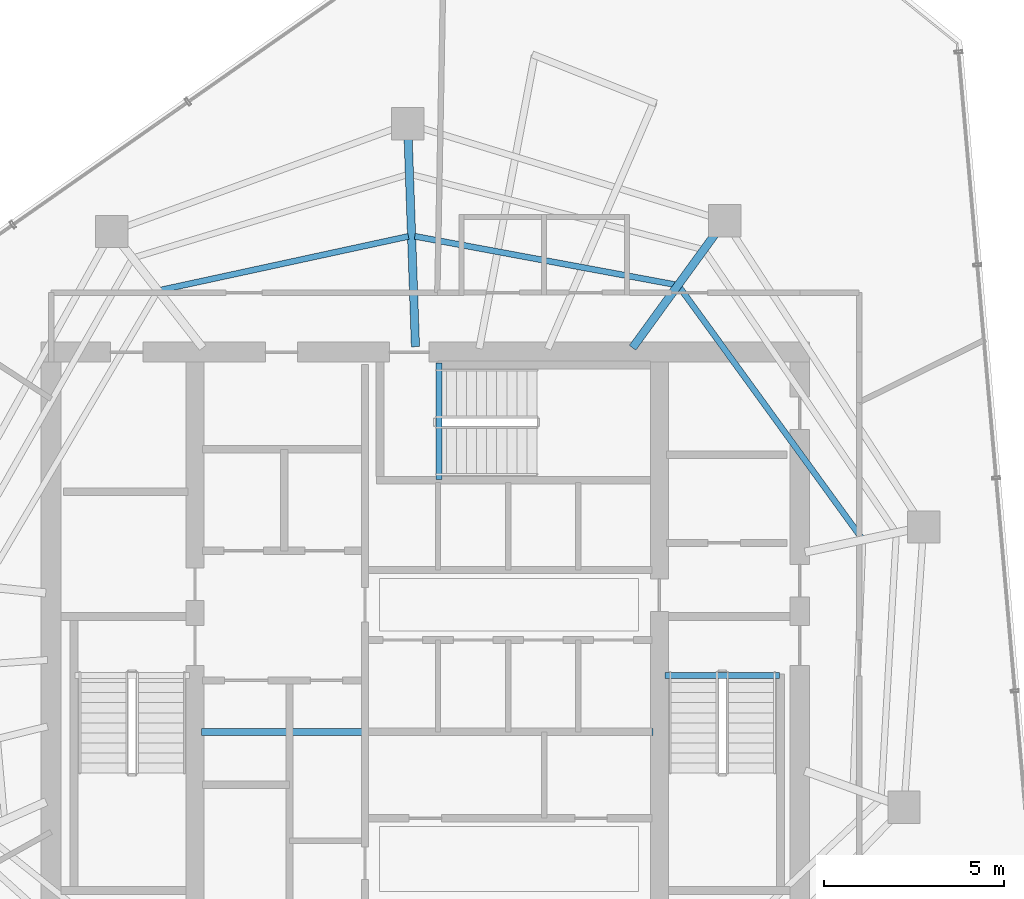
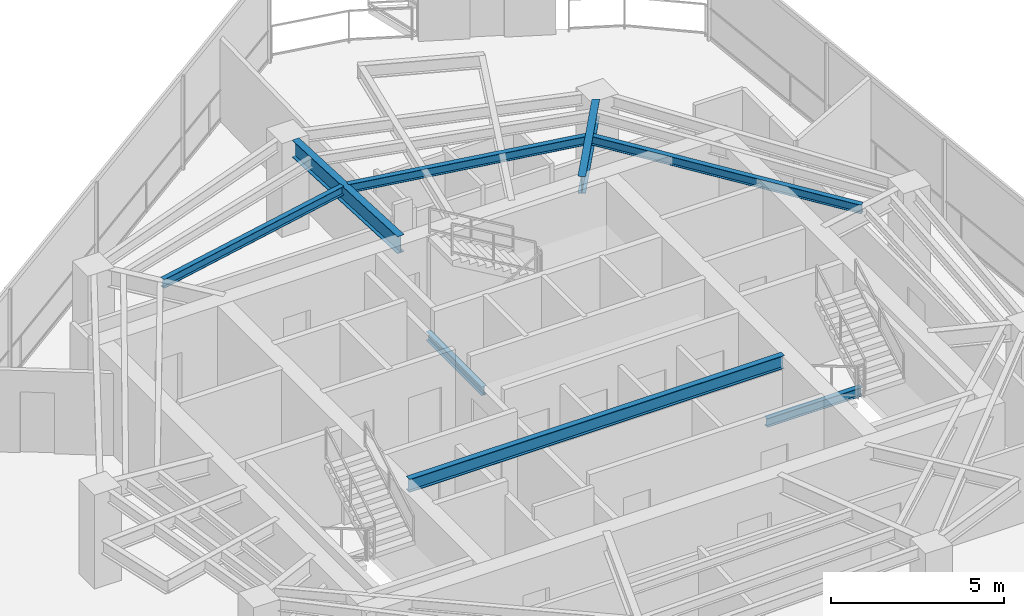
# One storey, part 8 of 20: 8 beams.
"""IFC4 building model written with IfcOpenShell, lengths in metres."""

from ifc_helpers import new_model, si_unit, direction, frame, origin, origin_2d, place, context, subcontext, project, spatial, i_section, extrude, material, material_profile, profile_set, type_object, element, save


model = new_model("IFC4")

# Units and contexts
model_context = context("Model", 3, precision=1e-05, world=origin(), true_north=direction((0.0, 1.0)))
body_context = subcontext(model_context, "Body", "Model", "MODEL_VIEW")
ifc_project = project(units=[si_unit("LENGTHUNIT", "METRE"), si_unit("AREAUNIT", "SQUARE_METRE"), si_unit("VOLUMEUNIT", "CUBIC_METRE"), si_unit("PLANEANGLEUNIT", "RADIAN"), si_unit("MASSUNIT", "GRAM", prefix="KILO")], contexts=[model_context])

# Site, building, storey
site_placement = place(None, origin())
site = spatial("IfcSite", under=ifc_project, at=site_placement, CompositionType="ELEMENT")
building_placement = place(site_placement, origin())
building = spatial("IfcBuilding", under=site, at=building_placement, Name="Qarnah Convention Tower", CompositionType="ELEMENT")
storey_placement = place(building_placement, frame((0.0, 0.0, 198.60009765625)))
storey = spatial("IfcBuildingStorey", under=building, at=storey_placement, Name="L53", CompositionType="ELEMENT", Elevation=198.60009765625)

# Beams
ifc_material = material(Name="Structural steel S355JR", Category="steel")
ifc_material_profile_1 = material_profile(ifc_material, i_section(OverallWidth=0.19189453125, OverallDepth=0.464111328125, WebThickness=0.010986328125, FlangeThickness=0.01806640625, at=origin_2d()), Name="W460X89")
ifc_profile_set_1 = profile_set([ifc_material_profile_1], Name="Structural steel S355JR")
beam_type_1 = type_object("IfcBeamType", Name="BM-CANT-W460A", PredefinedType="BEAM", material=ifc_profile_set_1)
beam_1_placement = place(storey_placement, frame((30.97998046875, 23.64990234375, 3.087890625), z_axis=(1.0, 0.0, 0.0), x_axis=(0.0, 1.0, 0.0)))
element("IfcBeam", 1, at=beam_1_placement, inside=storey, type_object=beam_type_1, Name="L53 beam BM-L53-KC1", PredefinedType="BEAM", context=body_context, shape_type="SweptSolid", body=[
    extrude(i_section(OverallWidth=0.19189453125, OverallDepth=0.464111328125, WebThickness=0.010986328125, FlangeThickness=0.01806640625, at=origin_2d()), origin(), (0.0, 0.0, 1.0), 12.5400390625),
])
ifc_material_profile_2 = material_profile(ifc_material, i_section(OverallWidth=0.166015625, OverallDepth=0.31201171875, WebThickness=0.007080078125, FlangeThickness=0.010986328125, at=origin_2d()), Name="W310X45")
ifc_profile_set_2 = profile_set([ifc_material_profile_2], Name="Structural steel S355JR")
beam_type_2 = type_object("IfcBeamType", Name="BM-JST-W310", PredefinedType="JOIST", material=ifc_profile_set_2)
beam_2_placement = place(storey_placement, frame((43.860107421875, 25.217041015625, -0.156005859375), z_axis=(1.0, 0.0, 0.0), x_axis=(0.0, 1.0, 0.0)))
element("IfcBeam", 2, at=beam_2_placement, inside=storey, type_object=beam_type_2, Name="L53 stair landing trimmer beam BM-L53-ST2-TRM", PredefinedType="BEAM", context=body_context, shape_type="SweptSolid", body=[
    extrude(i_section(OverallWidth=0.166015625, OverallDepth=0.31201171875, WebThickness=0.007080078125, FlangeThickness=0.010986328125, at=origin_2d()), origin(), (0.0, 0.0, 1.0), 3.179931640625),
])
beam_3_placement = place(storey_placement, frame((37.5830078125, 30.659912109375, -0.156005859375), z_axis=(0.0, 1.0, 0.0), x_axis=(-1.0, 0.0, 0.0)))
element("IfcBeam", 3, at=beam_3_placement, inside=storey, type_object=beam_type_2, Name="L53 stair landing trimmer beam BM-L53-ST3-TRM", PredefinedType="BEAM", context=body_context, shape_type="SweptSolid", body=[
    extrude(i_section(OverallWidth=0.166015625, OverallDepth=0.31201171875, WebThickness=0.007080078125, FlangeThickness=0.010986328125, at=origin_2d()), origin(), (0.0, 0.0, 1.0), 3.239990234375),
])
beam_4_placement = place(storey_placement, frame((49.302001953125, 29.056884765625, 3.163818359375), z_axis=(-0.587474793176, 0.809242465138, 0.0), x_axis=(-0.809242465138, -0.587474793176, 0.0)))
element("IfcBeam", 4, at=beam_4_placement, inside=storey, type_object=beam_type_2, Name="L53 joist BM-L53-IJST-01", PredefinedType="JOIST", context=body_context, shape_type="SweptSolid", body=[
    extrude(i_section(OverallWidth=0.166015625, OverallDepth=0.31201171875, WebThickness=0.007080078125, FlangeThickness=0.010986328125, at=origin_2d()), origin(), (0.0, 0.0, 1.0), 8.563720703125),
])
beam_5_placement = place(storey_placement, frame((44.1298828125, 36.075927734375, 3.163818359375), z_axis=(-0.983190695227, 0.182581644257, 0.0), x_axis=(-0.182581644257, -0.983190695227, 0.0)))
element("IfcBeam", 5, at=beam_5_placement, inside=storey, type_object=beam_type_2, Name="L53 joist BM-L53-IJST-02", PredefinedType="JOIST", context=body_context, shape_type="SweptSolid", body=[
    extrude(i_section(OverallWidth=0.166015625, OverallDepth=0.31201171875, WebThickness=0.007080078125, FlangeThickness=0.010986328125, at=origin_2d()), origin(), (0.0, 0.0, 1.0), 7.350341796875),
])
beam_6_placement = place(storey_placement, frame((36.72705078125, 37.4150390625, 3.163818359375), z_axis=(-0.977325057223, -0.211744498215, 0.0), x_axis=(0.211744498215, -0.977325057223, 0.0)))
element("IfcBeam", 6, at=beam_6_placement, inside=storey, type_object=beam_type_2, Name="L53 joist BM-L53-IJST-03", PredefinedType="JOIST", context=body_context, shape_type="SweptSolid", body=[
    extrude(i_section(OverallWidth=0.166015625, OverallDepth=0.31201171875, WebThickness=0.007080078125, FlangeThickness=0.010986328125, at=origin_2d()), origin(), (0.0, 0.0, 1.0), 7.027587890625),
])
ifc_material_profile_3 = material_profile(ifc_material, i_section(OverallWidth=0.22802734375, OverallDepth=0.60791015625, WebThickness=0.010986328125, FlangeThickness=0.01708984375, at=origin_2d()), Name="W610X113")
ifc_profile_set_3 = profile_set([ifc_material_profile_3], Name="Structural steel S355JR")
beam_type_3 = type_object("IfcBeamType", Name="BM-RAD-W610B", PredefinedType="BEAM", material=ifc_profile_set_3)
beam_7_placement = place(storey_placement, frame((42.955078125, 34.321044921875, 3.015869140625), z_axis=(0.587650613849, 0.809114797815, 0.0), x_axis=(-0.809114797815, 0.587650613849, 0.0)))
element("IfcBeam", 7, at=beam_7_placement, inside=storey, type_object=beam_type_3, Name="L53 beam BM-L53-RAD-02", PredefinedType="BEAM", context=body_context, shape_type="SweptSolid", body=[
    extrude(i_section(OverallWidth=0.22802734375, OverallDepth=0.60791015625, WebThickness=0.010986328125, FlangeThickness=0.01708984375, at=origin_2d()), origin(), (0.0, 0.0, 1.0), 3.928955078125),
])
beam_8_placement = place(storey_placement, frame((36.923095703125, 34.35009765625, 3.015869140625), z_axis=(-0.035067624348, 0.999384941713, 0.0), x_axis=(-0.999384941713, -0.035067624348, 0.0)))
element("IfcBeam", 8, at=beam_8_placement, inside=storey, type_object=beam_type_3, Name="L53 beam BM-L53-RAD-03", PredefinedType="BEAM", context=body_context, shape_type="SweptSolid", body=[
    extrude(i_section(OverallWidth=0.22802734375, OverallDepth=0.60791015625, WebThickness=0.010986328125, FlangeThickness=0.01708984375, at=origin_2d()), origin(), (0.0, 0.0, 1.0), 5.7646484375),
])

save(model, "model.ifc")
